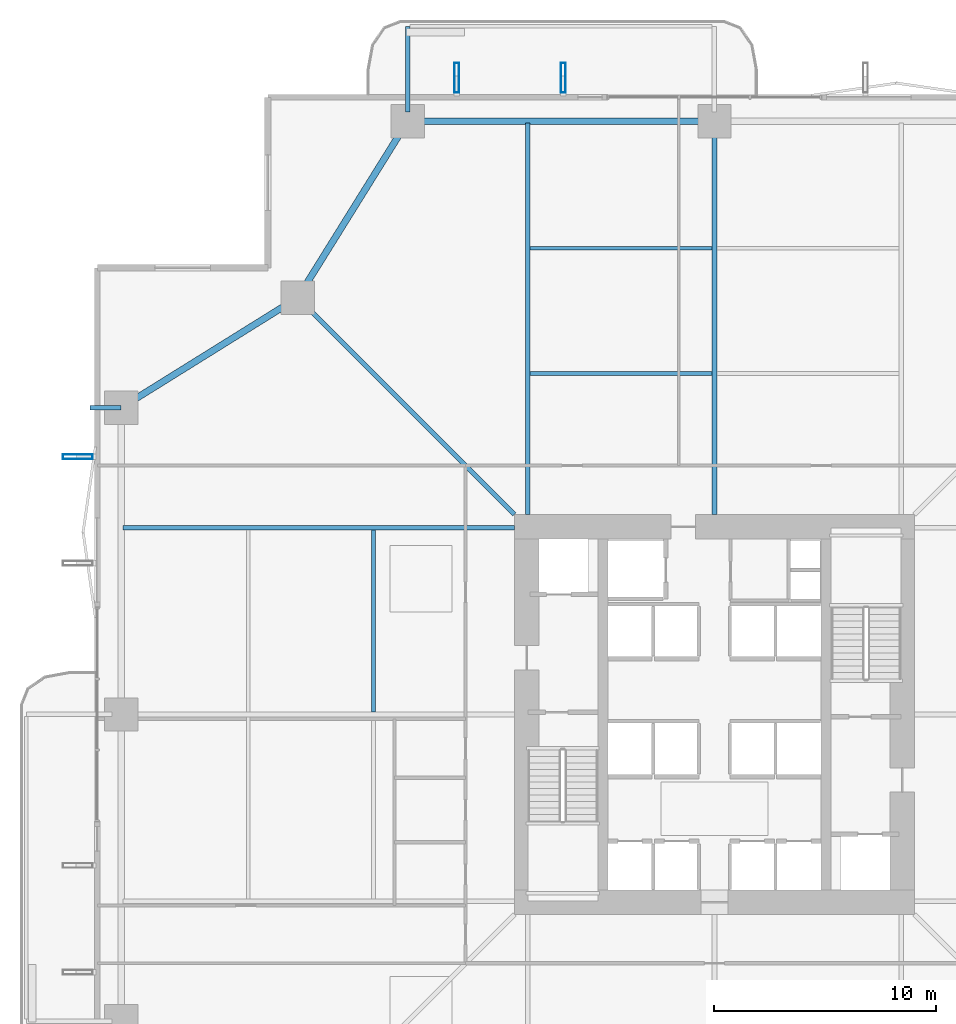
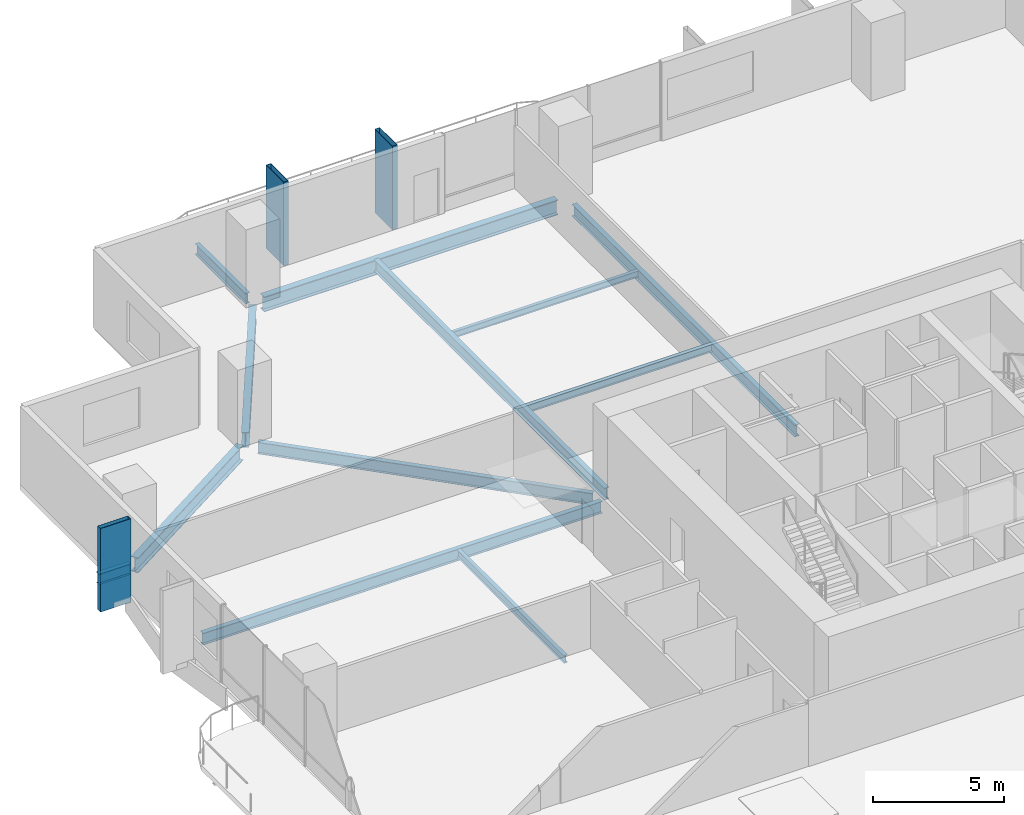
# One storey, part 10 of 23: 12 beams, 3 members.
"""IFC4 building model written with IfcOpenShell, lengths in metres."""

from ifc_helpers import new_model, si_unit, direction, frame, origin, origin_2d, place, context, subcontext, project, spatial, hollow_rectangle, i_section, extrude, material, material_profile, profile_set, type_object, element, save


model = new_model("IFC4")

# Units and contexts
model_context = context("Model", 3, precision=1e-05, world=origin(), true_north=direction((0.0, 1.0)))
body_context = subcontext(model_context, "Body", "Model", "MODEL_VIEW")
ifc_project = project(units=[si_unit("LENGTHUNIT", "METRE"), si_unit("AREAUNIT", "SQUARE_METRE"), si_unit("VOLUMEUNIT", "CUBIC_METRE"), si_unit("PLANEANGLEUNIT", "RADIAN"), si_unit("MASSUNIT", "GRAM", prefix="KILO")], contexts=[model_context])

# Site, building, storey
site_placement = place(None, origin())
site = spatial("IfcSite", under=ifc_project, at=site_placement, CompositionType="ELEMENT")
building_placement = place(site_placement, origin())
building = spatial("IfcBuilding", under=site, at=building_placement, Name="Belovzor Exchange Tower", CompositionType="ELEMENT")
storey_placement = place(building_placement, frame((0.0, 0.0, 84.60009765625)))
storey = spatial("IfcBuildingStorey", under=building, at=storey_placement, Name="L20", CompositionType="ELEMENT", Elevation=84.60009765625)

# Members
ifc_material_1 = material(Name="Extruded Architectural Terracotta on Steel S355 Carrier", Category="masonry")
ifc_material_profile_1 = material_profile(ifc_material_1, hollow_rectangle(XDim=0.219970703125, YDim=1.35009765625, WallThickness=0.013916015625, at=origin_2d()))
ifc_profile_set_1 = profile_set([ifc_material_profile_1], Name="Extruded Architectural Terracotta on Steel S355 Carrier")
member_type = type_object("IfcMemberType", Name="Base Arc Sweeping Terracotta Pylon Fin 1450", PredefinedType="USERDEFINED", material=ifc_profile_set_1)
for number, where, z_axis, x_axis, name in (
    (1, (17.199951171875, 57.449951171875, -0.25), (0.0, 0.0, 1.0), (1.0, 0.0, 0.0), "FIN-TC145 Terracotta Facade Fin L20 N1"),
    (2, (22.0, 57.449951171875, -0.25), (0.0, 0.0, 1.0), (1.0, 0.0, 0.0), "FIN-TC145 Terracotta Facade Fin L20 N2"),
    (3, (0.14990234375, 40.39990234375, -0.25), (0.0, 0.0, 1.0), (0.0, 1.0, 0.0), "FIN-TC145 Terracotta Facade Fin L20 W4"),
):
    element("IfcMember", number, at=place(storey_placement, frame(where, z_axis=z_axis, x_axis=x_axis)), inside=storey, type_object=member_type, Name=name, ObjectType="FIN", PredefinedType="USERDEFINED", context=body_context, shape_type="SweptSolid", body=[
        extrude(hollow_rectangle(XDim=0.219970703125, YDim=1.35009765625, WallThickness=0.013916015625, at=origin_2d()), origin(), (0.0, 0.0, 1.0), 3.89990234375),
    ])

# Beams
ifc_material_2 = material(Name="Steel S355", Category="steel")
ifc_material_profile_2 = material_profile(ifc_material_2, i_section(OverallWidth=0.199951171875, OverallDepth=0.5, WebThickness=0.01025390625, FlangeThickness=0.01611328125, at=origin_2d()))
ifc_profile_set_2 = profile_set([ifc_material_profile_2], Name="Steel S355")
beam_type_1 = type_object("IfcBeamType", Name="Planted Balcony Cantilever Beam IPE 500", PredefinedType="BEAM", material=ifc_profile_set_2)
beam_1_placement = place(storey_placement, frame((15.0, 55.9130859375, -0.5), z_axis=(0.0, 1.0, 0.0), x_axis=(-1.0, 0.0, 0.0)))
element("IfcBeam", 4, at=beam_1_placement, inside=storey, type_object=beam_type_1, Name="BC-500 Planted Balcony Cantilever Beam IPE 500", PredefinedType="BEAM", context=body_context, shape_type="SweptSolid", body=[
    extrude(i_section(OverallWidth=0.199951171875, OverallDepth=0.5, WebThickness=0.01025390625, FlangeThickness=0.01611328125, at=origin_2d()), origin(), (0.0, 0.0, 1.0), 3.849853515625),
])
beam_2_placement = place(storey_placement, frame((2.10009765625, 42.60009765625, -0.5), z_axis=(-1.0, 0.0, 0.0), x_axis=(0.0, -1.0, 0.0)))
element("IfcBeam", 5, at=beam_2_placement, inside=storey, type_object=beam_type_1, Name="BC-500 Planted Balcony Cantilever Beam IPE 500", PredefinedType="BEAM", context=body_context, shape_type="SweptSolid", body=[
    extrude(i_section(OverallWidth=0.199951171875, OverallDepth=0.5, WebThickness=0.01025390625, FlangeThickness=0.01611328125, at=origin_2d()), origin(), (0.0, 0.0, 1.0), 1.400146484375),
])
ifc_material_3 = material(Name="Steel S355", Category="steel")
ifc_material_profile_3 = material_profile(ifc_material_3, i_section(OverallWidth=0.169921875, OverallDepth=0.360107421875, WebThickness=0.008056640625, FlangeThickness=0.0126953125, at=origin_2d()))
ifc_profile_set_3 = profile_set([ifc_material_profile_3], Name="Steel S355")
beam_type_2 = type_object("IfcBeamType", Name="Secondary Infill Floor Joist IPE 360", PredefinedType="BEAM", material=ifc_profile_set_3)
beam_3_placement = place(storey_placement, frame((20.5048828125, 44.14501953125, -0.43017578125), z_axis=(1.0, 0.0, 0.0), x_axis=(0.0, 1.0, 0.0)))
element("IfcBeam", 6, at=beam_3_placement, inside=storey, type_object=beam_type_2, Name="FJ-360 Secondary Infill Floor Joist IPE 360", PredefinedType="BEAM", context=body_context, shape_type="SweptSolid", body=[
    extrude(i_section(OverallWidth=0.169921875, OverallDepth=0.360107421875, WebThickness=0.008056640625, FlangeThickness=0.0126953125, at=origin_2d()), origin(), (0.0, 0.0, 1.0), 8.190185546875),
])
beam_4_placement = place(storey_placement, frame((13.455078125, 28.905029296875, -0.43017578125), z_axis=(0.0, 1.0, 0.0), x_axis=(-1.0, 0.0, 0.0)))
element("IfcBeam", 7, at=beam_4_placement, inside=storey, type_object=beam_type_2, Name="FJ-360 Secondary Infill Floor Joist IPE 360", PredefinedType="BEAM", context=body_context, shape_type="SweptSolid", body=[
    extrude(i_section(OverallWidth=0.169921875, OverallDepth=0.360107421875, WebThickness=0.008056640625, FlangeThickness=0.0126953125, at=origin_2d()), origin(), (0.0, 0.0, 1.0), 8.18994140625),
])
ifc_material_4 = material(Name="Steel S355", Category="steel")
ifc_material_profile_4 = material_profile(ifc_material_4, i_section(OverallWidth=0.14990234375, OverallDepth=0.300048828125, WebThickness=0.007080078125, FlangeThickness=0.0107421875, at=origin_2d()))
ifc_profile_set_4 = profile_set([ifc_material_profile_4], Name="Steel S355")
beam_type_3 = type_object("IfcBeamType", Name="Secondary Trim Floor Joist IPE 300", PredefinedType="BEAM", material=ifc_profile_set_4)
beam_5_placement = place(storey_placement, frame((20.5048828125, 49.784912109375, -0.400146484375), z_axis=(1.0, 0.0, 0.0), x_axis=(0.0, 1.0, 0.0)))
element("IfcBeam", 8, at=beam_5_placement, inside=storey, type_object=beam_type_3, Name="FJ-300 Secondary Trim Floor Joist IPE 300", PredefinedType="BEAM", context=body_context, shape_type="SweptSolid", body=[
    extrude(i_section(OverallWidth=0.14990234375, OverallDepth=0.300048828125, WebThickness=0.007080078125, FlangeThickness=0.0107421875, at=origin_2d()), origin(), (0.0, 0.0, 1.0), 8.190185546875),
])
ifc_material_5 = material(Name="Steel S355", Category="steel")
ifc_material_profile_5 = material_profile(ifc_material_5, i_section(OverallWidth=0.300048828125, OverallDepth=0.699951171875, WebThickness=0.01708984375, FlangeThickness=0.031982421875, at=origin_2d()))
ifc_profile_set_5 = profile_set([ifc_material_profile_5], Name="Steel S355")
beam_type_4 = type_object("IfcBeamType", Name="Zone 1 Primary Perimeter Girder HEB 700", PredefinedType="BEAM", material=ifc_profile_set_5)
beam_6_placement = place(storey_placement, frame((28.386962890625, 55.5, -0.60009765625), z_axis=(-1.0, 0.0, 0.0), x_axis=(0.0, -1.0, 0.0)))
element("IfcBeam", 9, at=beam_6_placement, inside=storey, type_object=beam_type_4, Name="FG-Z1 Zone 1 Primary Perimeter Girder HEB 700", PredefinedType="BEAM", context=body_context, shape_type="SweptSolid", body=[
    extrude(i_section(OverallWidth=0.300048828125, OverallDepth=0.699951171875, WebThickness=0.01708984375, FlangeThickness=0.031982421875, at=origin_2d()), origin(), (0.0, 0.0, 1.0), 12.974853515625),
])
for number, where, z_axis, x_axis, name in (
    (10, (14.781982421875, 55.14990234375, -0.60009765625), (-0.528538629686, -0.848909251292, 0.0), (0.848909251292, -0.528538629686, 0.0), "FG-Z1 Zone 1 Primary Perimeter Girder HEB 700"),
    (11, (9.699951171875, 47.33203125, -0.60009765625), (-0.848909251292, -0.528538629686, 0.0), (0.528538629686, -0.848909251292, 0.0), "FG-Z1 Zone 1 Primary Perimeter Girder HEB 700"),
):
    element("IfcBeam", number, at=place(storey_placement, frame(where, z_axis=z_axis, x_axis=x_axis)), inside=storey, type_object=beam_type_4, Name=name, PredefinedType="BEAM", context=body_context, shape_type="SweptSolid", body=[
        extrude(i_section(OverallWidth=0.300048828125, OverallDepth=0.699951171875, WebThickness=0.01708984375, FlangeThickness=0.031982421875, at=origin_2d()), origin(), (0.0, 0.0, 1.0), 8.540283203125),
    ])
ifc_material_6 = material(Name="Steel S355", Category="steel")
ifc_material_profile_6 = material_profile(ifc_material_6, i_section(OverallWidth=0.2099609375, OverallDepth=0.550048828125, WebThickness=0.010986328125, FlangeThickness=0.01708984375, at=origin_2d()))
ifc_profile_set_6 = profile_set([ifc_material_profile_6], Name="Steel S355")
beam_type_5 = type_object("IfcBeamType", Name="Zone 1 Radial Composite Floor Beam IPE 550", PredefinedType="BEAM", material=ifc_profile_set_6)
beam_7_placement = place(storey_placement, frame((20.39990234375, 37.800048828125, -0.525146484375), z_axis=(0.0, 1.0, 0.0), x_axis=(-1.0, 0.0, 0.0)))
element("IfcBeam", 12, at=beam_7_placement, inside=storey, type_object=beam_type_5, Name="FB-550 Zone 1 Radial Composite Floor Beam IPE 550", PredefinedType="BEAM", context=body_context, shape_type="SweptSolid", body=[
    extrude(i_section(OverallWidth=0.2099609375, OverallDepth=0.550048828125, WebThickness=0.010986328125, FlangeThickness=0.01708984375, at=origin_2d()), origin(), (0.0, 0.0, 1.0), 17.625),
])
beam_8_placement = place(storey_placement, frame((28.800048828125, 37.800048828125, -0.525146484375), z_axis=(0.0, 1.0, 0.0), x_axis=(-1.0, 0.0, 0.0)))
element("IfcBeam", 13, at=beam_8_placement, inside=storey, type_object=beam_type_5, Name="FB-550 Zone 1 Radial Composite Floor Beam IPE 550", PredefinedType="BEAM", context=body_context, shape_type="SweptSolid", body=[
    extrude(i_section(OverallWidth=0.2099609375, OverallDepth=0.550048828125, WebThickness=0.010986328125, FlangeThickness=0.01708984375, at=origin_2d()), origin(), (0.0, 0.0, 1.0), 17.0400390625),
])
beam_9_placement = place(storey_placement, frame((19.800048828125, 37.199951171875, -0.525146484375), z_axis=(-1.0, 0.0, 0.0), x_axis=(0.0, -1.0, 0.0)))
element("IfcBeam", 14, at=beam_9_placement, inside=storey, type_object=beam_type_5, Name="FB-550 Zone 1 Radial Composite Floor Beam IPE 550", PredefinedType="BEAM", context=body_context, shape_type="SweptSolid", body=[
    extrude(i_section(OverallWidth=0.2099609375, OverallDepth=0.550048828125, WebThickness=0.010986328125, FlangeThickness=0.01708984375, at=origin_2d()), origin(), (0.0, 0.0, 1.0), 17.625),
])
beam_10_placement = place(storey_placement, frame((19.800048828125, 37.800048828125, -0.525146484375), z_axis=(-0.707106781187, 0.707106781187, 0.0), x_axis=(-0.707106781187, -0.707106781187, 0.0)))
element("IfcBeam", 15, at=beam_10_placement, inside=storey, type_object=beam_type_5, Name="FB-550 Zone 1 Radial Composite Floor Beam IPE 550", PredefinedType="BEAM", context=body_context, shape_type="SweptSolid", body=[
    extrude(i_section(OverallWidth=0.2099609375, OverallDepth=0.550048828125, WebThickness=0.010986328125, FlangeThickness=0.01708984375, at=origin_2d()), origin(), (0.0, 0.0, 1.0), 13.25830078125),
])

save(model, "model.ifc")
